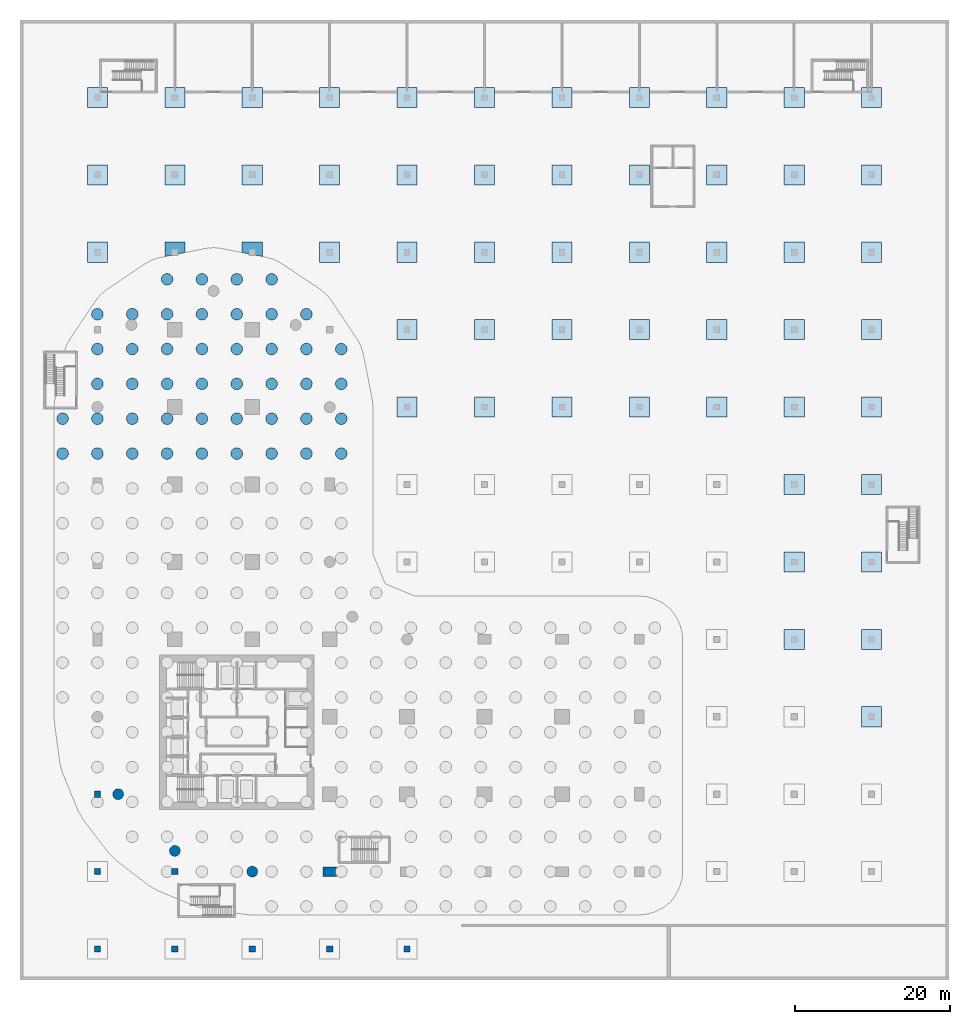
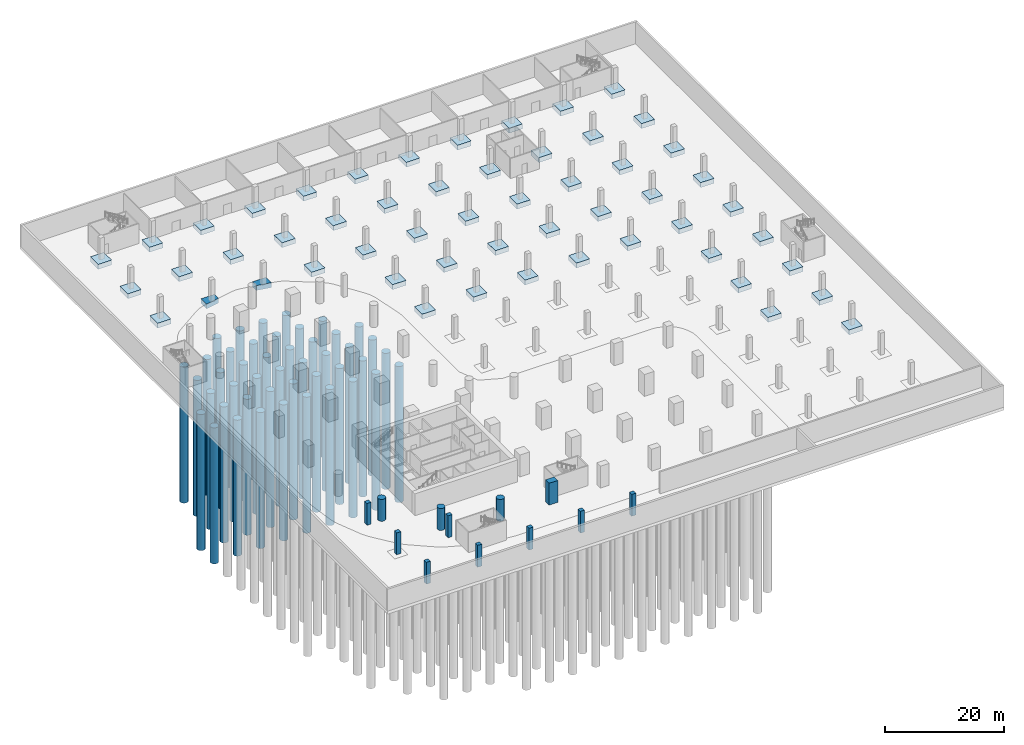
# One storey, part 2 of 19: 54 footings, 45 piles, 12 columns.
"""IFC4 building model written with IfcOpenShell, lengths in metres."""

from ifc_helpers import new_model, si_unit, direction, frame, origin, origin_2d, place, context, subcontext, project, spatial, polyline, rectangle, circle, outline, extrude, material, layer, layer_set, material_profile, profile_set, type_object, element, save


model = new_model("IFC4")

# Units and contexts
model_context = context("Model", 3, precision=1e-05, world=origin(), true_north=direction((0.0, 1.0)))
body_context = subcontext(model_context, "Body", "Model", "MODEL_VIEW")
ifc_project = project(units=[si_unit("LENGTHUNIT", "METRE"), si_unit("AREAUNIT", "SQUARE_METRE"), si_unit("VOLUMEUNIT", "CUBIC_METRE"), si_unit("PLANEANGLEUNIT", "RADIAN"), si_unit("MASSUNIT", "GRAM", prefix="KILO")], contexts=[model_context])

# Site, building, storey
site_placement = place(None, origin())
site = spatial("IfcSite", under=ifc_project, at=site_placement, CompositionType="ELEMENT")
building_placement = place(site_placement, origin())
building = spatial("IfcBuilding", under=site, at=building_placement, Name="Qaws Garden Tower", CompositionType="ELEMENT")
storey_placement = place(building_placement, frame((0.0, 0.0, -9.0)))
storey = spatial("IfcBuildingStorey", under=building, at=storey_placement, Name="B2", CompositionType="ELEMENT", Elevation=-9.0)

# Piles
ifc_material_1 = material(Name="Concrete C40", Category="concrete")
ifc_material_profile_1 = material_profile(ifc_material_1, circle(Radius=0.75, at=origin_2d()), Name="Bored pile D1500")
ifc_profile_set_1 = profile_set([ifc_material_profile_1], Name="Concrete C40")
pile_type = type_object("IfcPileType", Name="Bored pile D1500", PredefinedType="BORED", material=ifc_profile_set_1)
for number, where, z_axis, x_axis, name in (
    (1, (-4.5, 54.0, -4.89990234375), (0.0, 0.0, -1.0), (1.0, 0.0, 0.0), "Pile 185"),
    (2, (0.0, 54.0, -4.89990234375), (0.0, 0.0, -1.0), (1.0, 0.0, 0.0), "Pile 186"),
    (3, (4.5, 54.0, -4.89990234375), (0.0, 0.0, -1.0), (1.0, 0.0, 0.0), "Pile 187"),
    (4, (9.0, 54.0, -4.89990234375), (0.0, 0.0, -1.0), (1.0, 0.0, 0.0), "Pile 188"),
    (5, (13.5, 54.0, -4.89990234375), (0.0, 0.0, -1.0), (1.0, 0.0, 0.0), "Pile 189"),
    (6, (18.0, 54.0, -4.89990234375), (0.0, 0.0, -1.0), (1.0, 0.0, 0.0), "Pile 190"),
    (7, (22.5, 54.0, -4.89990234375), (0.0, 0.0, -1.0), (1.0, 0.0, 0.0), "Pile 191"),
    (8, (27.0, 54.0, -4.89990234375), (0.0, 0.0, -1.0), (1.0, 0.0, 0.0), "Pile 192"),
    (9, (31.5, 54.0, -4.89990234375), (0.0, 0.0, -1.0), (1.0, 0.0, 0.0), "Pile 193"),
    (10, (-4.5, 58.5, -4.89990234375), (0.0, 0.0, -1.0), (1.0, 0.0, 0.0), "Pile 194"),
    (11, (0.0, 58.5, -4.89990234375), (0.0, 0.0, -1.0), (1.0, 0.0, 0.0), "Pile 195"),
    (12, (4.5, 58.5, -4.89990234375), (0.0, 0.0, -1.0), (1.0, 0.0, 0.0), "Pile 196"),
    (13, (9.0, 58.5, -4.89990234375), (0.0, 0.0, -1.0), (1.0, 0.0, 0.0), "Pile 197"),
    (14, (13.5, 58.5, -4.89990234375), (0.0, 0.0, -1.0), (1.0, 0.0, 0.0), "Pile 198"),
    (15, (18.0, 58.5, -4.89990234375), (0.0, 0.0, -1.0), (1.0, 0.0, 0.0), "Pile 199"),
    (16, (22.5, 58.5, -4.89990234375), (0.0, 0.0, -1.0), (1.0, 0.0, 0.0), "Pile 200"),
    (17, (27.0, 58.5, -4.89990234375), (0.0, 0.0, -1.0), (1.0, 0.0, 0.0), "Pile 201"),
    (18, (31.5, 58.5, -4.89990234375), (0.0, 0.0, -1.0), (1.0, 0.0, 0.0), "Pile 202"),
    (19, (0.0, 63.0, -4.89990234375), (0.0, 0.0, -1.0), (1.0, 0.0, 0.0), "Pile 203"),
    (20, (4.5, 63.0, -4.89990234375), (0.0, 0.0, -1.0), (1.0, 0.0, 0.0), "Pile 204"),
    (21, (9.0, 63.0, -4.89990234375), (0.0, 0.0, -1.0), (1.0, 0.0, 0.0), "Pile 205"),
    (22, (13.5, 63.0, -4.89990234375), (0.0, 0.0, -1.0), (1.0, 0.0, 0.0), "Pile 206"),
    (23, (18.0, 63.0, -4.89990234375), (0.0, 0.0, -1.0), (1.0, 0.0, 0.0), "Pile 207"),
    (24, (22.5, 63.0, -4.89990234375), (0.0, 0.0, -1.0), (1.0, 0.0, 0.0), "Pile 208"),
    (25, (27.0, 63.0, -4.89990234375), (0.0, 0.0, -1.0), (1.0, 0.0, 0.0), "Pile 209"),
    (26, (31.5, 63.0, -4.89990234375), (0.0, 0.0, -1.0), (1.0, 0.0, 0.0), "Pile 210"),
    (27, (0.0, 67.5, -4.89990234375), (0.0, 0.0, -1.0), (1.0, 0.0, 0.0), "Pile 211"),
    (28, (4.5, 67.5, -4.89990234375), (0.0, 0.0, -1.0), (1.0, 0.0, 0.0), "Pile 212"),
    (29, (9.0, 67.5, -4.89990234375), (0.0, 0.0, -1.0), (1.0, 0.0, 0.0), "Pile 213"),
    (30, (13.5, 67.5, -4.89990234375), (0.0, 0.0, -1.0), (1.0, 0.0, 0.0), "Pile 214"),
    (31, (18.0, 67.5, -4.89990234375), (0.0, 0.0, -1.0), (1.0, 0.0, 0.0), "Pile 215"),
    (32, (22.5, 67.5, -4.89990234375), (0.0, 0.0, -1.0), (1.0, 0.0, 0.0), "Pile 216"),
    (33, (27.0, 67.5, -4.89990234375), (0.0, 0.0, -1.0), (1.0, 0.0, 0.0), "Pile 217"),
    (34, (31.5, 67.5, -4.89990234375), (0.0, 0.0, -1.0), (1.0, 0.0, 0.0), "Pile 218"),
    (35, (0.0, 72.0, -4.89990234375), (0.0, 0.0, -1.0), (1.0, 0.0, 0.0), "Pile 219"),
    (36, (4.5, 72.0, -4.89990234375), (0.0, 0.0, -1.0), (1.0, 0.0, 0.0), "Pile 220"),
    (37, (9.0, 72.0, -4.89990234375), (0.0, 0.0, -1.0), (1.0, 0.0, 0.0), "Pile 221"),
    (38, (13.5, 72.0, -4.89990234375), (0.0, 0.0, -1.0), (1.0, 0.0, 0.0), "Pile 222"),
    (39, (18.0, 72.0, -4.89990234375), (0.0, 0.0, -1.0), (1.0, 0.0, 0.0), "Pile 223"),
    (40, (22.5, 72.0, -4.89990234375), (0.0, 0.0, -1.0), (1.0, 0.0, 0.0), "Pile 224"),
    (41, (27.0, 72.0, -4.89990234375), (0.0, 0.0, -1.0), (1.0, 0.0, 0.0), "Pile 225"),
    (42, (9.0, 76.5, -4.89990234375), (0.0, 0.0, -1.0), (1.0, 0.0, 0.0), "Pile 226"),
    (43, (13.5, 76.5, -4.89990234375), (0.0, 0.0, -1.0), (1.0, 0.0, 0.0), "Pile 227"),
    (44, (18.0, 76.5, -4.89990234375), (0.0, 0.0, -1.0), (1.0, 0.0, 0.0), "Pile 228"),
    (45, (22.5, 76.5, -4.89990234375), (0.0, 0.0, -1.0), (1.0, 0.0, 0.0), "Pile 229"),
):
    element("IfcPile", number, at=place(storey_placement, frame(where, z_axis=z_axis, x_axis=x_axis)), inside=storey, type_object=pile_type, Name=name, PredefinedType="BORED", context=body_context, shape_type="SweptSolid", body=[
        extrude(circle(Radius=0.75, at=origin_2d()), origin(), (0.0, 0.0, 1.0), 28.0),
    ])

# Footings
ifc_material_2 = material(Name="Concrete C45", Category="concrete")
ifc_layer = layer(ifc_material_2, 1.0)
ifc_layer_set = layer_set([ifc_layer], Name="Concrete C45")
footing_type = type_object("IfcFootingType", Name="Pad footing 2600", PredefinedType="PAD_FOOTING", material=ifc_layer_set)
placement = place(storey_placement, frame((0.0, 0.0, -1.0)))
element("IfcFooting", 46, at=placement, inside=storey, type_object=footing_type, Name="Pad footing 5", PredefinedType="PAD_FOOTING", context=body_context, shape_type="SweptSolid", body=[
    extrude(outline(polyline([(-1.300048828125, 78.699951171875), (1.300048828125, 78.699951171875), (1.300048828125, 81.300048828125), (-1.300048828125, 81.300048828125), (-1.300048828125, 78.699951171875)])), origin(), (0.0, 0.0, 1.0), 1.0),
])
element("IfcFooting", 47, at=placement, inside=storey, type_object=footing_type, Name="Pad footing 6", PredefinedType="PAD_FOOTING", context=body_context, shape_type="SweptSolid", body=[
    extrude(outline(polyline([(-1.300048828125, 88.699951171875), (1.300048828125, 88.699951171875), (1.300048828125, 91.300048828125), (-1.300048828125, 91.300048828125), (-1.300048828125, 88.699951171875)])), origin(), (0.0, 0.0, 1.0), 1.0),
])
element("IfcFooting", 48, at=placement, inside=storey, type_object=footing_type, Name="Pad footing 7", PredefinedType="PAD_FOOTING", context=body_context, shape_type="SweptSolid", body=[
    extrude(outline(polyline([(-1.300048828125, 98.699951171875), (1.300048828125, 98.699951171875), (1.300048828125, 101.300048828125), (-1.300048828125, 101.300048828125), (-1.300048828125, 98.699951171875)])), origin(), (0.0, 0.0, 1.0), 1.0),
])
element("IfcFooting", 49, at=placement, inside=storey, type_object=footing_type, Name="Pad footing 10", PredefinedType="PAD_FOOTING", context=body_context, shape_type="SweptSolid", body=[
    extrude(outline(polyline([(8.699951171875, 79.44482421875), (11.300048828125, 79.9619140625), (11.300048828125, 81.300048828125), (8.699951171875, 81.300048828125), (8.699951171875, 79.44482421875)])), origin(), (0.0, 0.0, 1.0), 1.0),
])
element("IfcFooting", 50, at=placement, inside=storey, type_object=footing_type, Name="Pad footing 11", PredefinedType="PAD_FOOTING", context=body_context, shape_type="SweptSolid", body=[
    extrude(outline(polyline([(8.699951171875, 88.699951171875), (11.300048828125, 88.699951171875), (11.300048828125, 91.300048828125), (8.699951171875, 91.300048828125), (8.699951171875, 88.699951171875)])), origin(), (0.0, 0.0, 1.0), 1.0),
])
element("IfcFooting", 51, at=placement, inside=storey, type_object=footing_type, Name="Pad footing 12", PredefinedType="PAD_FOOTING", context=body_context, shape_type="SweptSolid", body=[
    extrude(outline(polyline([(8.699951171875, 98.699951171875), (11.300048828125, 98.699951171875), (11.300048828125, 101.300048828125), (8.699951171875, 101.300048828125), (8.699951171875, 98.699951171875)])), origin(), (0.0, 0.0, 1.0), 1.0),
])
element("IfcFooting", 52, at=placement, inside=storey, type_object=footing_type, Name="Pad footing 14", PredefinedType="PAD_FOOTING", context=body_context, shape_type="SweptSolid", body=[
    extrude(outline(polyline([(21.300048828125, 79.44482421875), (21.300048828125, 81.300048828125), (18.699951171875, 81.300048828125), (18.699951171875, 79.9619140625), (21.300048828125, 79.44482421875)])), origin(), (0.0, 0.0, 1.0), 1.0),
])
element("IfcFooting", 53, at=placement, inside=storey, type_object=footing_type, Name="Pad footing 15", PredefinedType="PAD_FOOTING", context=body_context, shape_type="SweptSolid", body=[
    extrude(outline(polyline([(18.699951171875, 88.699951171875), (21.300048828125, 88.699951171875), (21.300048828125, 91.300048828125), (18.699951171875, 91.300048828125), (18.699951171875, 88.699951171875)])), origin(), (0.0, 0.0, 1.0), 1.0),
])
element("IfcFooting", 54, at=placement, inside=storey, type_object=footing_type, Name="Pad footing 16", PredefinedType="PAD_FOOTING", context=body_context, shape_type="SweptSolid", body=[
    extrude(outline(polyline([(18.699951171875, 98.699951171875), (21.300048828125, 98.699951171875), (21.300048828125, 101.300048828125), (18.699951171875, 101.300048828125), (18.699951171875, 98.699951171875)])), origin(), (0.0, 0.0, 1.0), 1.0),
])
element("IfcFooting", 55, at=placement, inside=storey, type_object=footing_type, Name="Pad footing 19", PredefinedType="PAD_FOOTING", context=body_context, shape_type="SweptSolid", body=[
    extrude(outline(polyline([(28.699951171875, 78.699951171875), (31.300048828125, 78.699951171875), (31.300048828125, 81.300048828125), (28.699951171875, 81.300048828125), (28.699951171875, 78.699951171875)])), origin(), (0.0, 0.0, 1.0), 1.0),
])
element("IfcFooting", 56, at=placement, inside=storey, type_object=footing_type, Name="Pad footing 20", PredefinedType="PAD_FOOTING", context=body_context, shape_type="SweptSolid", body=[
    extrude(outline(polyline([(28.699951171875, 88.699951171875), (31.300048828125, 88.699951171875), (31.300048828125, 91.300048828125), (28.699951171875, 91.300048828125), (28.699951171875, 88.699951171875)])), origin(), (0.0, 0.0, 1.0), 1.0),
])
element("IfcFooting", 57, at=placement, inside=storey, type_object=footing_type, Name="Pad footing 21", PredefinedType="PAD_FOOTING", context=body_context, shape_type="SweptSolid", body=[
    extrude(outline(polyline([(28.699951171875, 98.699951171875), (31.300048828125, 98.699951171875), (31.300048828125, 101.300048828125), (28.699951171875, 101.300048828125), (28.699951171875, 98.699951171875)])), origin(), (0.0, 0.0, 1.0), 1.0),
])
element("IfcFooting", 58, at=placement, inside=storey, type_object=footing_type, Name="Pad footing 25", PredefinedType="PAD_FOOTING", context=body_context, shape_type="SweptSolid", body=[
    extrude(outline(polyline([(38.699951171875, 58.699951171875), (41.300048828125, 58.699951171875), (41.300048828125, 61.300048828125), (38.699951171875, 61.300048828125), (38.699951171875, 58.699951171875)])), origin(), (0.0, 0.0, 1.0), 1.0),
])
element("IfcFooting", 59, at=placement, inside=storey, type_object=footing_type, Name="Pad footing 26", PredefinedType="PAD_FOOTING", context=body_context, shape_type="SweptSolid", body=[
    extrude(outline(polyline([(38.699951171875, 68.699951171875), (41.300048828125, 68.699951171875), (41.300048828125, 71.300048828125), (38.699951171875, 71.300048828125), (38.699951171875, 68.699951171875)])), origin(), (0.0, 0.0, 1.0), 1.0),
])
element("IfcFooting", 60, at=placement, inside=storey, type_object=footing_type, Name="Pad footing 27", PredefinedType="PAD_FOOTING", context=body_context, shape_type="SweptSolid", body=[
    extrude(outline(polyline([(38.699951171875, 78.699951171875), (41.300048828125, 78.699951171875), (41.300048828125, 81.300048828125), (38.699951171875, 81.300048828125), (38.699951171875, 78.699951171875)])), origin(), (0.0, 0.0, 1.0), 1.0),
])
element("IfcFooting", 61, at=placement, inside=storey, type_object=footing_type, Name="Pad footing 28", PredefinedType="PAD_FOOTING", context=body_context, shape_type="SweptSolid", body=[
    extrude(outline(polyline([(38.699951171875, 88.699951171875), (41.300048828125, 88.699951171875), (41.300048828125, 91.300048828125), (38.699951171875, 91.300048828125), (38.699951171875, 88.699951171875)])), origin(), (0.0, 0.0, 1.0), 1.0),
])
element("IfcFooting", 62, at=placement, inside=storey, type_object=footing_type, Name="Pad footing 29", PredefinedType="PAD_FOOTING", context=body_context, shape_type="SweptSolid", body=[
    extrude(outline(polyline([(38.699951171875, 98.699951171875), (41.300048828125, 98.699951171875), (41.300048828125, 101.300048828125), (38.699951171875, 101.300048828125), (38.699951171875, 98.699951171875)])), origin(), (0.0, 0.0, 1.0), 1.0),
])
element("IfcFooting", 63, at=placement, inside=storey, type_object=footing_type, Name="Pad footing 32", PredefinedType="PAD_FOOTING", context=body_context, shape_type="SweptSolid", body=[
    extrude(outline(polyline([(48.699951171875, 58.699951171875), (51.300048828125, 58.699951171875), (51.300048828125, 61.300048828125), (48.699951171875, 61.300048828125), (48.699951171875, 58.699951171875)])), origin(), (0.0, 0.0, 1.0), 1.0),
])
element("IfcFooting", 64, at=placement, inside=storey, type_object=footing_type, Name="Pad footing 33", PredefinedType="PAD_FOOTING", context=body_context, shape_type="SweptSolid", body=[
    extrude(outline(polyline([(48.699951171875, 68.699951171875), (51.300048828125, 68.699951171875), (51.300048828125, 71.300048828125), (48.699951171875, 71.300048828125), (48.699951171875, 68.699951171875)])), origin(), (0.0, 0.0, 1.0), 1.0),
])
element("IfcFooting", 65, at=placement, inside=storey, type_object=footing_type, Name="Pad footing 34", PredefinedType="PAD_FOOTING", context=body_context, shape_type="SweptSolid", body=[
    extrude(outline(polyline([(48.699951171875, 78.699951171875), (51.300048828125, 78.699951171875), (51.300048828125, 81.300048828125), (48.699951171875, 81.300048828125), (48.699951171875, 78.699951171875)])), origin(), (0.0, 0.0, 1.0), 1.0),
])
element("IfcFooting", 66, at=placement, inside=storey, type_object=footing_type, Name="Pad footing 35", PredefinedType="PAD_FOOTING", context=body_context, shape_type="SweptSolid", body=[
    extrude(outline(polyline([(48.699951171875, 88.699951171875), (51.300048828125, 88.699951171875), (51.300048828125, 91.300048828125), (48.699951171875, 91.300048828125), (48.699951171875, 88.699951171875)])), origin(), (0.0, 0.0, 1.0), 1.0),
])
element("IfcFooting", 67, at=placement, inside=storey, type_object=footing_type, Name="Pad footing 36", PredefinedType="PAD_FOOTING", context=body_context, shape_type="SweptSolid", body=[
    extrude(outline(polyline([(48.699951171875, 98.699951171875), (51.300048828125, 98.699951171875), (51.300048828125, 101.300048828125), (48.699951171875, 101.300048828125), (48.699951171875, 98.699951171875)])), origin(), (0.0, 0.0, 1.0), 1.0),
])
element("IfcFooting", 68, at=placement, inside=storey, type_object=footing_type, Name="Pad footing 39", PredefinedType="PAD_FOOTING", context=body_context, shape_type="SweptSolid", body=[
    extrude(outline(polyline([(58.699951171875, 58.699951171875), (61.300048828125, 58.699951171875), (61.300048828125, 61.300048828125), (58.699951171875, 61.300048828125), (58.699951171875, 58.699951171875)])), origin(), (0.0, 0.0, 1.0), 1.0),
])
element("IfcFooting", 69, at=placement, inside=storey, type_object=footing_type, Name="Pad footing 40", PredefinedType="PAD_FOOTING", context=body_context, shape_type="SweptSolid", body=[
    extrude(outline(polyline([(58.699951171875, 68.699951171875), (61.300048828125, 68.699951171875), (61.300048828125, 71.300048828125), (58.699951171875, 71.300048828125), (58.699951171875, 68.699951171875)])), origin(), (0.0, 0.0, 1.0), 1.0),
])
element("IfcFooting", 70, at=placement, inside=storey, type_object=footing_type, Name="Pad footing 41", PredefinedType="PAD_FOOTING", context=body_context, shape_type="SweptSolid", body=[
    extrude(outline(polyline([(58.699951171875, 78.699951171875), (61.300048828125, 78.699951171875), (61.300048828125, 81.300048828125), (58.699951171875, 81.300048828125), (58.699951171875, 78.699951171875)])), origin(), (0.0, 0.0, 1.0), 1.0),
])
element("IfcFooting", 71, at=placement, inside=storey, type_object=footing_type, Name="Pad footing 42", PredefinedType="PAD_FOOTING", context=body_context, shape_type="SweptSolid", body=[
    extrude(outline(polyline([(58.699951171875, 88.699951171875), (61.300048828125, 88.699951171875), (61.300048828125, 91.300048828125), (58.699951171875, 91.300048828125), (58.699951171875, 88.699951171875)])), origin(), (0.0, 0.0, 1.0), 1.0),
])
element("IfcFooting", 72, at=placement, inside=storey, type_object=footing_type, Name="Pad footing 43", PredefinedType="PAD_FOOTING", context=body_context, shape_type="SweptSolid", body=[
    extrude(outline(polyline([(58.699951171875, 98.699951171875), (61.300048828125, 98.699951171875), (61.300048828125, 101.300048828125), (58.699951171875, 101.300048828125), (58.699951171875, 98.699951171875)])), origin(), (0.0, 0.0, 1.0), 1.0),
])
element("IfcFooting", 73, at=placement, inside=storey, type_object=footing_type, Name="Pad footing 46", PredefinedType="PAD_FOOTING", context=body_context, shape_type="SweptSolid", body=[
    extrude(outline(polyline([(68.699951171875, 58.699951171875), (71.300048828125, 58.699951171875), (71.300048828125, 61.300048828125), (68.699951171875, 61.300048828125), (68.699951171875, 58.699951171875)])), origin(), (0.0, 0.0, 1.0), 1.0),
])
element("IfcFooting", 74, at=placement, inside=storey, type_object=footing_type, Name="Pad footing 47", PredefinedType="PAD_FOOTING", context=body_context, shape_type="SweptSolid", body=[
    extrude(outline(polyline([(68.699951171875, 68.699951171875), (71.300048828125, 68.699951171875), (71.300048828125, 71.300048828125), (68.699951171875, 71.300048828125), (68.699951171875, 68.699951171875)])), origin(), (0.0, 0.0, 1.0), 1.0),
])
element("IfcFooting", 75, at=placement, inside=storey, type_object=footing_type, Name="Pad footing 48", PredefinedType="PAD_FOOTING", context=body_context, shape_type="SweptSolid", body=[
    extrude(outline(polyline([(68.699951171875, 78.699951171875), (71.300048828125, 78.699951171875), (71.300048828125, 81.300048828125), (68.699951171875, 81.300048828125), (68.699951171875, 78.699951171875)])), origin(), (0.0, 0.0, 1.0), 1.0),
])
element("IfcFooting", 76, at=placement, inside=storey, type_object=footing_type, Name="Pad footing 49", PredefinedType="PAD_FOOTING", context=body_context, shape_type="SweptSolid", body=[
    extrude(outline(polyline([(68.699951171875, 88.699951171875), (71.300048828125, 88.699951171875), (71.300048828125, 91.300048828125), (68.699951171875, 91.300048828125), (68.699951171875, 88.699951171875)])), origin(), (0.0, 0.0, 1.0), 1.0),
])
element("IfcFooting", 77, at=placement, inside=storey, type_object=footing_type, Name="Pad footing 50", PredefinedType="PAD_FOOTING", context=body_context, shape_type="SweptSolid", body=[
    extrude(outline(polyline([(68.699951171875, 98.699951171875), (71.300048828125, 98.699951171875), (71.300048828125, 101.300048828125), (68.699951171875, 101.300048828125), (68.699951171875, 98.699951171875)])), origin(), (0.0, 0.0, 1.0), 1.0),
])
element("IfcFooting", 78, at=placement, inside=storey, type_object=footing_type, Name="Pad footing 57", PredefinedType="PAD_FOOTING", context=body_context, shape_type="SweptSolid", body=[
    extrude(outline(polyline([(78.699951171875, 58.699951171875), (81.300048828125, 58.699951171875), (81.300048828125, 61.300048828125), (78.699951171875, 61.300048828125), (78.699951171875, 58.699951171875)])), origin(), (0.0, 0.0, 1.0), 1.0),
])
element("IfcFooting", 79, at=placement, inside=storey, type_object=footing_type, Name="Pad footing 58", PredefinedType="PAD_FOOTING", context=body_context, shape_type="SweptSolid", body=[
    extrude(outline(polyline([(78.699951171875, 68.699951171875), (81.300048828125, 68.699951171875), (81.300048828125, 71.300048828125), (78.699951171875, 71.300048828125), (78.699951171875, 68.699951171875)])), origin(), (0.0, 0.0, 1.0), 1.0),
])
element("IfcFooting", 80, at=placement, inside=storey, type_object=footing_type, Name="Pad footing 59", PredefinedType="PAD_FOOTING", context=body_context, shape_type="SweptSolid", body=[
    extrude(outline(polyline([(78.699951171875, 78.699951171875), (81.300048828125, 78.699951171875), (81.300048828125, 81.300048828125), (78.699951171875, 81.300048828125), (78.699951171875, 78.699951171875)])), origin(), (0.0, 0.0, 1.0), 1.0),
])
element("IfcFooting", 81, at=placement, inside=storey, type_object=footing_type, Name="Pad footing 60", PredefinedType="PAD_FOOTING", context=body_context, shape_type="SweptSolid", body=[
    extrude(outline(polyline([(78.699951171875, 88.699951171875), (81.300048828125, 88.699951171875), (81.300048828125, 91.300048828125), (78.699951171875, 91.300048828125), (78.699951171875, 88.699951171875)])), origin(), (0.0, 0.0, 1.0), 1.0),
])
element("IfcFooting", 82, at=placement, inside=storey, type_object=footing_type, Name="Pad footing 61", PredefinedType="PAD_FOOTING", context=body_context, shape_type="SweptSolid", body=[
    extrude(outline(polyline([(78.699951171875, 98.699951171875), (81.300048828125, 98.699951171875), (81.300048828125, 101.300048828125), (78.699951171875, 101.300048828125), (78.699951171875, 98.699951171875)])), origin(), (0.0, 0.0, 1.0), 1.0),
])
element("IfcFooting", 83, at=placement, inside=storey, type_object=footing_type, Name="Pad footing 65", PredefinedType="PAD_FOOTING", context=body_context, shape_type="SweptSolid", body=[
    extrude(outline(polyline([(88.699951171875, 28.699951171875), (91.300048828125, 28.699951171875), (91.300048828125, 31.300048828125), (88.699951171875, 31.300048828125), (88.699951171875, 28.699951171875)])), origin(), (0.0, 0.0, 1.0), 1.0),
])
element("IfcFooting", 84, at=placement, inside=storey, type_object=footing_type, Name="Pad footing 66", PredefinedType="PAD_FOOTING", context=body_context, shape_type="SweptSolid", body=[
    extrude(outline(polyline([(88.699951171875, 38.699951171875), (91.300048828125, 38.699951171875), (91.300048828125, 41.300048828125), (88.699951171875, 41.300048828125), (88.699951171875, 38.699951171875)])), origin(), (0.0, 0.0, 1.0), 1.0),
])
element("IfcFooting", 85, at=placement, inside=storey, type_object=footing_type, Name="Pad footing 67", PredefinedType="PAD_FOOTING", context=body_context, shape_type="SweptSolid", body=[
    extrude(outline(polyline([(88.699951171875, 48.699951171875), (91.300048828125, 48.699951171875), (91.300048828125, 51.300048828125), (88.699951171875, 51.300048828125), (88.699951171875, 48.699951171875)])), origin(), (0.0, 0.0, 1.0), 1.0),
])
element("IfcFooting", 86, at=placement, inside=storey, type_object=footing_type, Name="Pad footing 68", PredefinedType="PAD_FOOTING", context=body_context, shape_type="SweptSolid", body=[
    extrude(outline(polyline([(88.699951171875, 58.699951171875), (91.300048828125, 58.699951171875), (91.300048828125, 61.300048828125), (88.699951171875, 61.300048828125), (88.699951171875, 58.699951171875)])), origin(), (0.0, 0.0, 1.0), 1.0),
])
element("IfcFooting", 87, at=placement, inside=storey, type_object=footing_type, Name="Pad footing 69", PredefinedType="PAD_FOOTING", context=body_context, shape_type="SweptSolid", body=[
    extrude(outline(polyline([(88.699951171875, 68.699951171875), (91.300048828125, 68.699951171875), (91.300048828125, 71.300048828125), (88.699951171875, 71.300048828125), (88.699951171875, 68.699951171875)])), origin(), (0.0, 0.0, 1.0), 1.0),
])
element("IfcFooting", 88, at=placement, inside=storey, type_object=footing_type, Name="Pad footing 70", PredefinedType="PAD_FOOTING", context=body_context, shape_type="SweptSolid", body=[
    extrude(outline(polyline([(88.699951171875, 78.699951171875), (91.300048828125, 78.699951171875), (91.300048828125, 81.300048828125), (88.699951171875, 81.300048828125), (88.699951171875, 78.699951171875)])), origin(), (0.0, 0.0, 1.0), 1.0),
])
element("IfcFooting", 89, at=placement, inside=storey, type_object=footing_type, Name="Pad footing 71", PredefinedType="PAD_FOOTING", context=body_context, shape_type="SweptSolid", body=[
    extrude(outline(polyline([(88.699951171875, 88.699951171875), (91.300048828125, 88.699951171875), (91.300048828125, 91.300048828125), (88.699951171875, 91.300048828125), (88.699951171875, 88.699951171875)])), origin(), (0.0, 0.0, 1.0), 1.0),
])
element("IfcFooting", 90, at=placement, inside=storey, type_object=footing_type, Name="Pad footing 72", PredefinedType="PAD_FOOTING", context=body_context, shape_type="SweptSolid", body=[
    extrude(outline(polyline([(88.699951171875, 98.699951171875), (91.300048828125, 98.699951171875), (91.300048828125, 101.300048828125), (88.699951171875, 101.300048828125), (88.699951171875, 98.699951171875)])), origin(), (0.0, 0.0, 1.0), 1.0),
])
element("IfcFooting", 91, at=placement, inside=storey, type_object=footing_type, Name="Pad footing 75", PredefinedType="PAD_FOOTING", context=body_context, shape_type="SweptSolid", body=[
    extrude(outline(polyline([(98.699951171875, 18.699951171875), (101.300048828125, 18.699951171875), (101.300048828125, 21.300048828125), (98.699951171875, 21.300048828125), (98.699951171875, 18.699951171875)])), origin(), (0.0, 0.0, 1.0), 1.0),
])
element("IfcFooting", 92, at=placement, inside=storey, type_object=footing_type, Name="Pad footing 76", PredefinedType="PAD_FOOTING", context=body_context, shape_type="SweptSolid", body=[
    extrude(outline(polyline([(98.699951171875, 28.699951171875), (101.300048828125, 28.699951171875), (101.300048828125, 31.300048828125), (98.699951171875, 31.300048828125), (98.699951171875, 28.699951171875)])), origin(), (0.0, 0.0, 1.0), 1.0),
])
element("IfcFooting", 93, at=placement, inside=storey, type_object=footing_type, Name="Pad footing 77", PredefinedType="PAD_FOOTING", context=body_context, shape_type="SweptSolid", body=[
    extrude(outline(polyline([(98.699951171875, 38.699951171875), (101.300048828125, 38.699951171875), (101.300048828125, 41.300048828125), (98.699951171875, 41.300048828125), (98.699951171875, 38.699951171875)])), origin(), (0.0, 0.0, 1.0), 1.0),
])
element("IfcFooting", 94, at=placement, inside=storey, type_object=footing_type, Name="Pad footing 78", PredefinedType="PAD_FOOTING", context=body_context, shape_type="SweptSolid", body=[
    extrude(outline(polyline([(98.699951171875, 48.699951171875), (101.300048828125, 48.699951171875), (101.300048828125, 51.300048828125), (98.699951171875, 51.300048828125), (98.699951171875, 48.699951171875)])), origin(), (0.0, 0.0, 1.0), 1.0),
])
element("IfcFooting", 95, at=placement, inside=storey, type_object=footing_type, Name="Pad footing 79", PredefinedType="PAD_FOOTING", context=body_context, shape_type="SweptSolid", body=[
    extrude(outline(polyline([(98.699951171875, 58.699951171875), (101.300048828125, 58.699951171875), (101.300048828125, 61.300048828125), (98.699951171875, 61.300048828125), (98.699951171875, 58.699951171875)])), origin(), (0.0, 0.0, 1.0), 1.0),
])
element("IfcFooting", 96, at=placement, inside=storey, type_object=footing_type, Name="Pad footing 80", PredefinedType="PAD_FOOTING", context=body_context, shape_type="SweptSolid", body=[
    extrude(outline(polyline([(98.699951171875, 68.699951171875), (101.300048828125, 68.699951171875), (101.300048828125, 71.300048828125), (98.699951171875, 71.300048828125), (98.699951171875, 68.699951171875)])), origin(), (0.0, 0.0, 1.0), 1.0),
])
element("IfcFooting", 97, at=placement, inside=storey, type_object=footing_type, Name="Pad footing 81", PredefinedType="PAD_FOOTING", context=body_context, shape_type="SweptSolid", body=[
    extrude(outline(polyline([(98.699951171875, 78.699951171875), (101.300048828125, 78.699951171875), (101.300048828125, 81.300048828125), (98.699951171875, 81.300048828125), (98.699951171875, 78.699951171875)])), origin(), (0.0, 0.0, 1.0), 1.0),
])
element("IfcFooting", 98, at=placement, inside=storey, type_object=footing_type, Name="Pad footing 82", PredefinedType="PAD_FOOTING", context=body_context, shape_type="SweptSolid", body=[
    extrude(outline(polyline([(98.699951171875, 88.699951171875), (101.300048828125, 88.699951171875), (101.300048828125, 91.300048828125), (98.699951171875, 91.300048828125), (98.699951171875, 88.699951171875)])), origin(), (0.0, 0.0, 1.0), 1.0),
])
element("IfcFooting", 99, at=placement, inside=storey, type_object=footing_type, Name="Pad footing 83", PredefinedType="PAD_FOOTING", context=body_context, shape_type="SweptSolid", body=[
    extrude(outline(polyline([(98.699951171875, 98.699951171875), (101.300048828125, 98.699951171875), (101.300048828125, 101.300048828125), (98.699951171875, 101.300048828125), (98.699951171875, 98.699951171875)])), origin(), (0.0, 0.0, 1.0), 1.0),
])

# Columns
ifc_material_3 = material(Name="Concrete C80", Category="concrete")
ifc_material_profile_2 = material_profile(ifc_material_3, rectangle(XDim=1.699951171875, YDim=1.199951171875, at=origin_2d()), Name="RC 1700x1200")
ifc_profile_set_2 = profile_set([ifc_material_profile_2], Name="Concrete C80")
column_type_1 = type_object("IfcColumnType", Name="Column RC 1700x1200 C80", PredefinedType="COLUMN", material=ifc_profile_set_2)
column_placement = place(storey_placement, frame((30.0, 0.0, 0.0), z_axis=(0.0, 0.0, 1.0), x_axis=(1.0, 0.0, 0.0)))
element("IfcColumn", 100, at=column_placement, inside=storey, type_object=column_type_1, Name="Column B2-002", PredefinedType="COLUMN", context=body_context, shape_type="SweptSolid", body=[
    extrude(rectangle(XDim=1.699951171875, YDim=1.199951171875, at=origin_2d()), origin(), (0.0, 0.0, 1.0), 4.5),
])
ifc_material_4 = material(Name="Concrete C80", Category="concrete")
ifc_material_profile_3 = material_profile(ifc_material_4, circle(Radius=0.699951171875, at=origin_2d()), Name="RC D1400")
ifc_profile_set_3 = profile_set([ifc_material_profile_3], Name="Concrete C80")
column_type_2 = type_object("IfcColumnType", Name="Column RC D1400 C80", PredefinedType="COLUMN", material=ifc_profile_set_3)
for number, where, z_axis, x_axis, name in (
    (101, (20.0, 0.0, 0.0), (0.0, 0.0, 1.0), (1.0, 0.0, 0.0), "Column B2-001"),
    (102, (2.679443359375, 10.0, 0.0), (0.0, 0.0, 1.0), (1.0, 0.0, 0.0), "Column B2-025"),
    (103, (10.0, 2.679443359375, 0.0), (0.0, 0.0, 1.0), (1.0, 0.0, 0.0), "Column B2-026"),
):
    element("IfcColumn", number, at=place(storey_placement, frame(where, z_axis=z_axis, x_axis=x_axis)), inside=storey, type_object=column_type_2, Name=name, PredefinedType="COLUMN", context=body_context, shape_type="SweptSolid", body=[
        extrude(circle(Radius=0.699951171875, at=origin_2d()), origin(), (0.0, 0.0, 1.0), 4.5),
    ])
ifc_material_5 = material(Name="Concrete C45 precast", Category="concrete")
ifc_material_profile_4 = material_profile(ifc_material_5, rectangle(XDim=0.800048828125, YDim=0.800048828125, at=origin_2d()), Name="PC1 column 800 x 800")
ifc_profile_set_4 = profile_set([ifc_material_profile_4], Name="Concrete C45 precast")
column_type_3 = type_object("IfcColumnType", Name="PC1 column 800 x 800", PredefinedType="COLUMN", material=ifc_profile_set_4)
for number, where, z_axis, x_axis, name in (
    (104, (0.0, -10.0, 0.0), (0.0, 0.0, 1.0), (1.0, 0.0, 0.0), "Column 1 B2"),
    (105, (0.0, 0.0, 0.0), (0.0, 0.0, 1.0), (1.0, 0.0, 0.0), "Column 2 B2"),
    (106, (0.0, 10.0, 0.0), (0.0, 0.0, 1.0), (1.0, 0.0, 0.0), "Column 3 B2"),
    (107, (10.0, -10.0, 0.0), (0.0, 0.0, 1.0), (1.0, 0.0, 0.0), "Column 8 B2"),
    (108, (10.0, 0.0, 0.0), (0.0, 0.0, 1.0), (1.0, 0.0, 0.0), "Column 9 B2"),
    (109, (20.0, -10.0, 0.0), (0.0, 0.0, 1.0), (1.0, 0.0, 0.0), "Column 13 B2"),
    (110, (30.0, -10.0, 0.0), (0.0, 0.0, 1.0), (1.0, 0.0, 0.0), "Column 17 B2"),
    (111, (40.0, -10.0, 0.0), (0.0, 0.0, 1.0), (1.0, 0.0, 0.0), "Column 22 B2"),
):
    element("IfcColumn", number, at=place(storey_placement, frame(where, z_axis=z_axis, x_axis=x_axis)), inside=storey, type_object=column_type_3, Name=name, PredefinedType="COLUMN", context=body_context, shape_type="SweptSolid", body=[
        extrude(rectangle(XDim=0.800048828125, YDim=0.800048828125, at=origin_2d()), origin(), (0.0, 0.0, 1.0), 4.5),
    ])

save(model, "model.ifc")
